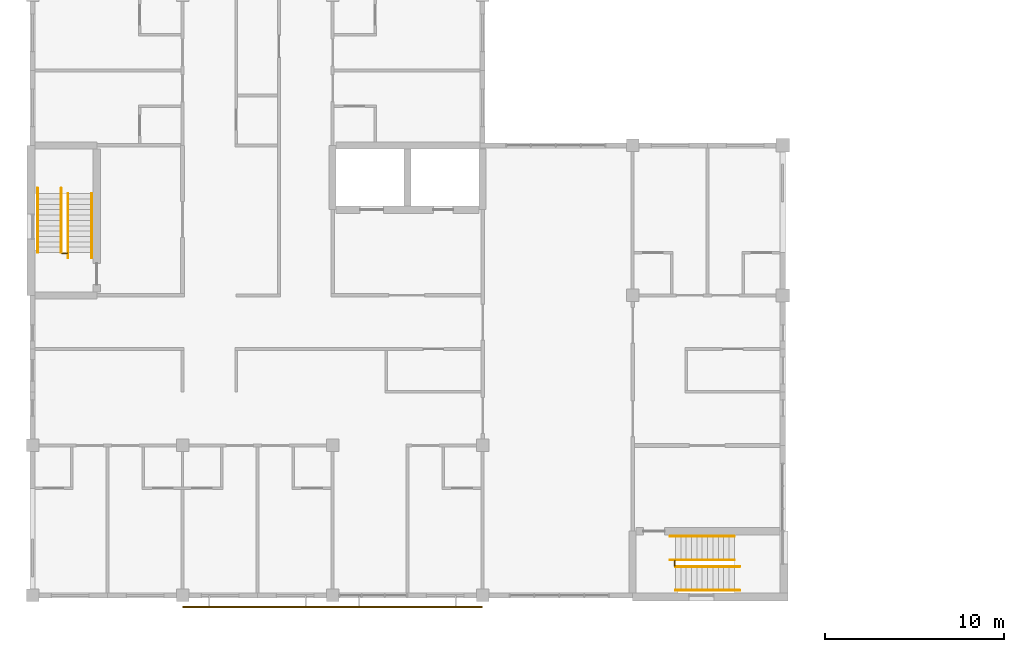
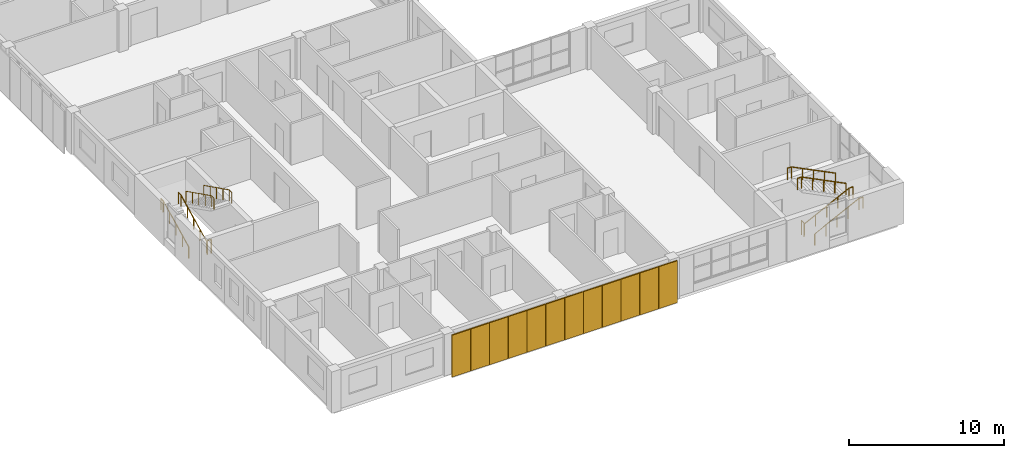
# One storey, part 41 of 45: 12 shading devices, 10 railings.
"""IFC4 building model written with IfcOpenShell, lengths in metres."""

from ifc_helpers import new_model, si_unit, direction, frame, origin, origin_2d, place, context, subcontext, project, spatial, rectangle, circle, extrude, material, layer, layer_set, type_object, element, save


model = new_model("IFC4")

# Units and contexts
model_context = context("Model", 3, precision=1e-05, world=origin(), true_north=direction((0.0, 1.0)))
body_context = subcontext(model_context, "Body", "Model", "MODEL_VIEW")
ifc_project = project(units=[si_unit("LENGTHUNIT", "METRE"), si_unit("AREAUNIT", "SQUARE_METRE"), si_unit("VOLUMEUNIT", "CUBIC_METRE"), si_unit("PLANEANGLEUNIT", "RADIAN"), si_unit("MASSUNIT", "GRAM", prefix="KILO")], contexts=[model_context])

# Site, building, storey
site_placement = place(None, origin())
site = spatial("IfcSite", under=ifc_project, at=site_placement, CompositionType="ELEMENT")
building_placement = place(site_placement, origin())
building = spatial("IfcBuilding", under=site, at=building_placement, Name="Yavir Park General Hospital", CompositionType="ELEMENT")
storey_placement = place(building_placement, frame((0.0, 0.0, 22.5)))
storey = spatial("IfcBuildingStorey", under=building, at=storey_placement, Name="L05", CompositionType="ELEMENT", Elevation=22.5)

# Shading devices
ifc_material_1 = material(Name="Precast concrete perforated block panel", Category="concrete")
ifc_layer = layer(ifc_material_1, 0.092041015625)
ifc_layer_set = layer_set([ifc_layer], Name="Precast concrete perforated block panel")
shading_device_type = type_object("IfcShadingDeviceType", Name="Precast breeze-block screen panel 1380 x 3300 x 92", PredefinedType="JALOUSIE", material=ifc_layer_set)
for number, where, z_axis, x_axis, name in (
    (1, (9.10009765625, -0.64990234375, 0.0), (0.0, 0.0, 1.0), (1.0, 0.0, 0.0), "Screen panel S2.3.1"),
    (2, (10.5, -0.64990234375, 0.0), (0.0, 0.0, 1.0), (1.0, 0.0, 0.0), "Screen panel S2.3.2"),
    (3, (11.89990234375, -0.64990234375, 0.0), (0.0, 0.0, 1.0), (1.0, 0.0, 0.0), "Screen panel S2.3.3"),
    (4, (13.300048828125, -0.64990234375, 0.0), (0.0, 0.0, 1.0), (1.0, 0.0, 0.0), "Screen panel S2.3.4"),
    (5, (14.699951171875, -0.64990234375, 0.0), (0.0, 0.0, 1.0), (1.0, 0.0, 0.0), "Screen panel S2.3.5"),
    (6, (16.10009765625, -0.64990234375, 0.0), (0.0, 0.0, 1.0), (1.0, 0.0, 0.0), "Screen panel S2.3.6"),
    (7, (17.5, -0.64990234375, 0.0), (0.0, 0.0, 1.0), (1.0, 0.0, 0.0), "Screen panel S3.3.1"),
    (8, (18.89990234375, -0.64990234375, 0.0), (0.0, 0.0, 1.0), (1.0, 0.0, 0.0), "Screen panel S3.3.2"),
    (9, (20.300048828125, -0.64990234375, 0.0), (0.0, 0.0, 1.0), (1.0, 0.0, 0.0), "Screen panel S3.3.3"),
    (10, (21.699951171875, -0.64990234375, 0.0), (0.0, 0.0, 1.0), (1.0, 0.0, 0.0), "Screen panel S3.3.4"),
    (11, (23.10009765625, -0.64990234375, 0.0), (0.0, 0.0, 1.0), (1.0, 0.0, 0.0), "Screen panel S3.3.5"),
    (12, (24.5, -0.64990234375, 0.0), (0.0, 0.0, 1.0), (1.0, 0.0, 0.0), "Screen panel S3.3.6"),
):
    element("IfcShadingDevice", number, at=place(storey_placement, frame(where, z_axis=z_axis, x_axis=x_axis)), inside=storey, type_object=shading_device_type, Name=name, PredefinedType="JALOUSIE", context=body_context, shape_type="SweptSolid", body=[
        extrude(rectangle(XDim=1.3798828125, YDim=0.092041015625, at=origin_2d()), origin(), (0.0, 0.0, 1.0), 3.300048828125),
    ])

# Railings
ifc_material_2 = material(Name="Steel balustrade with infill rods", Category="steel")
railing_type_1 = type_object("IfcRailingType", Name="Stair guard, steel balustrade 1100 mm", PredefinedType="GUARDRAIL", material=ifc_material_2)
railing_1_placement = place(storey_placement, frame((1.64990234375, 19.169921875, 0.0)))
element("IfcRailing", 13, at=railing_1_placement, inside=storey, type_object=railing_type_1, Name="Stair well guard SU1 L05", PredefinedType="GUARDRAIL", context=body_context, shape_type="SweptSolid", body=[
    extrude(circle(Radius=0.02392578125, at=origin_2d()), frame((0.0, 0.0, 1.076171875), z_axis=(1.0, 0.0, 0.0), x_axis=(0.0, 1.0, 0.0)), (0.0, 0.0, 1.0), 0.300048828125),
    extrude(circle(Radius=0.02099609375, at=origin_2d()), origin(), (0.0, 0.0, 1.0), 1.052001953125),
    extrude(circle(Radius=0.02099609375, at=origin_2d()), frame((0.300048828125, 0.0, 0.0)), (0.0, 0.0, 1.0), 1.052001953125),
])
railing_2_placement = place(storey_placement, frame((35.969970703125, 1.64990234375, 0.0)))
element("IfcRailing", 14, at=railing_2_placement, inside=storey, type_object=railing_type_1, Name="Stair well guard SU2 L05", PredefinedType="GUARDRAIL", context=body_context, shape_type="SweptSolid", body=[
    extrude(circle(Radius=0.02392578125, at=origin_2d()), frame((0.0, 0.0, 1.076171875), z_axis=(0.0, 1.0, 0.0), x_axis=(-1.0, 0.0, 0.0)), (0.0, 0.0, 1.0), 0.300048828125),
    extrude(circle(Radius=0.02099609375, at=origin_2d()), origin(), (0.0, 0.0, 1.0), 1.052001953125),
    extrude(circle(Radius=0.02099609375, at=origin_2d()), frame((0.0, 0.300048828125, 0.0)), (0.0, 0.0, 1.0), 1.052001953125),
])
ifc_material_3 = material(Name="Stainless steel tube 48 mm", Category="steel")
railing_type_2 = type_object("IfcRailingType", Name="Stair handrail, steel tube, 900 mm above the nosings", PredefinedType="HANDRAIL", material=ifc_material_3)
for number, where, name in (
    (15, (0.2900390625, 19.199951171875, 0.14990234375), "Handrail SU1 L05 1"),
    (16, (1.610107421875, 19.199951171875, 0.14990234375), "Handrail SU1 L05 2"),
):
    element("IfcRailing", number, at=place(storey_placement, frame(where)), inside=storey, type_object=railing_type_2, Name=name, PredefinedType="HANDRAIL", context=body_context, shape_type="SweptSolid", body=[
        extrude(circle(Radius=0.02392578125, at=origin_2d()), frame((0.0, 0.0, 0.8759765625), z_axis=(0.0, 0.894413956696, 0.447240063129), x_axis=(-1.0, 0.0, 0.0)), (0.0, 0.0, 1.0), 3.689697265625),
        extrude(circle(Radius=0.02392578125, at=origin_2d()), frame((0.0, 3.300048828125, 2.52587890625), z_axis=(0.0, 1.0, 0.0), x_axis=(-1.0, 0.0, 0.0)), (0.0, 0.0, 1.0), 0.300048828125),
        extrude(circle(Radius=0.02099609375, at=origin_2d()), origin(), (0.0, 0.0, 1.0), 0.851806640625),
        extrude(circle(Radius=0.02099609375, at=origin_2d()), frame((0.0, 0.824951171875, 0.41259765625)), (0.0, 0.0, 1.0), 0.851806640625),
        extrude(circle(Radius=0.02099609375, at=origin_2d()), frame((0.0, 1.64990234375, 0.8251953125)), (0.0, 0.0, 1.0), 0.851806640625),
        extrude(circle(Radius=0.02099609375, at=origin_2d()), frame((0.0, 2.47509765625, 1.237548828125)), (0.0, 0.0, 1.0), 0.851806640625),
        extrude(circle(Radius=0.02099609375, at=origin_2d()), frame((0.0, 3.300048828125, 1.650146484375)), (0.0, 0.0, 1.0), 0.851806640625),
        extrude(circle(Radius=0.02099609375, at=origin_2d()), frame((0.0, 3.60009765625, 1.650146484375)), (0.0, 0.0, 1.0), 0.851806640625),
    ])
for number, where, name in (
    (17, (3.31005859375, 22.5, 1.949951171875), "Handrail SU1 L05 3"),
    (18, (1.989990234375, 22.5, 1.949951171875), "Handrail SU1 L05 4"),
):
    element("IfcRailing", number, at=place(storey_placement, frame(where)), inside=storey, type_object=railing_type_2, Name=name, PredefinedType="HANDRAIL", context=body_context, shape_type="SweptSolid", body=[
        extrude(circle(Radius=0.02392578125, at=origin_2d()), frame((0.0, 0.0, 0.8759765625), z_axis=(0.0, -0.894413956696, 0.447240063129), x_axis=(1.0, 0.0, 0.0)), (0.0, 0.0, 1.0), 3.689697265625),
        extrude(circle(Radius=0.02392578125, at=origin_2d()), frame((0.0, -3.300048828125, 2.52587890625), z_axis=(0.0, -1.0, 0.0), x_axis=(1.0, 0.0, 0.0)), (0.0, 0.0, 1.0), 0.300048828125),
        extrude(circle(Radius=0.02099609375, at=origin_2d()), origin(), (0.0, 0.0, 1.0), 0.851806640625),
        extrude(circle(Radius=0.02099609375, at=origin_2d()), frame((0.0, -0.824951171875, 0.41259765625)), (0.0, 0.0, 1.0), 0.851806640625),
        extrude(circle(Radius=0.02099609375, at=origin_2d()), frame((0.0, -1.64990234375, 0.8251953125)), (0.0, 0.0, 1.0), 0.851806640625),
        extrude(circle(Radius=0.02099609375, at=origin_2d()), frame((0.0, -2.47509765625, 1.237548828125)), (0.0, 0.0, 1.0), 0.851806640625),
        extrude(circle(Radius=0.02099609375, at=origin_2d()), frame((0.0, -3.300048828125, 1.650146484375)), (0.0, 0.0, 1.0), 0.851806640625),
        extrude(circle(Radius=0.02099609375, at=origin_2d()), frame((0.0, -3.60009765625, 1.650146484375)), (0.0, 0.0, 1.0), 0.851806640625),
    ])
for number, where, name in (
    (19, (36.0, 0.2900390625, 0.14990234375), "Handrail SU2 L05 1"),
    (20, (36.0, 1.610107421875, 0.14990234375), "Handrail SU2 L05 2"),
):
    element("IfcRailing", number, at=place(storey_placement, frame(where)), inside=storey, type_object=railing_type_2, Name=name, PredefinedType="HANDRAIL", context=body_context, shape_type="SweptSolid", body=[
        extrude(circle(Radius=0.02392578125, at=origin_2d()), frame((0.0, 0.0, 0.8759765625), z_axis=(0.894413956696, 0.0, 0.447240063129), x_axis=(0.0, 1.0, 0.0)), (0.0, 0.0, 1.0), 3.689697265625),
        extrude(circle(Radius=0.02392578125, at=origin_2d()), frame((3.300048828125, 0.0, 2.52587890625), z_axis=(1.0, 0.0, 0.0), x_axis=(0.0, 1.0, 0.0)), (0.0, 0.0, 1.0), 0.300048828125),
        extrude(circle(Radius=0.02099609375, at=origin_2d()), origin(), (0.0, 0.0, 1.0), 0.851806640625),
        extrude(circle(Radius=0.02099609375, at=origin_2d()), frame((0.824951171875, 0.0, 0.41259765625)), (0.0, 0.0, 1.0), 0.851806640625),
        extrude(circle(Radius=0.02099609375, at=origin_2d()), frame((1.64990234375, 0.0, 0.8251953125)), (0.0, 0.0, 1.0), 0.851806640625),
        extrude(circle(Radius=0.02099609375, at=origin_2d()), frame((2.47509765625, 0.0, 1.237548828125)), (0.0, 0.0, 1.0), 0.851806640625),
        extrude(circle(Radius=0.02099609375, at=origin_2d()), frame((3.300048828125, 0.0, 1.650146484375)), (0.0, 0.0, 1.0), 0.851806640625),
        extrude(circle(Radius=0.02099609375, at=origin_2d()), frame((3.60009765625, 0.0, 1.650146484375)), (0.0, 0.0, 1.0), 0.851806640625),
    ])
for number, where, name in (
    (21, (39.300048828125, 3.31005859375, 1.949951171875), "Handrail SU2 L05 3"),
    (22, (39.300048828125, 1.989990234375, 1.949951171875), "Handrail SU2 L05 4"),
):
    element("IfcRailing", number, at=place(storey_placement, frame(where)), inside=storey, type_object=railing_type_2, Name=name, PredefinedType="HANDRAIL", context=body_context, shape_type="SweptSolid", body=[
        extrude(circle(Radius=0.02392578125, at=origin_2d()), frame((0.0, 0.0, 0.8759765625), z_axis=(-0.894413956696, 0.0, 0.447240063129), x_axis=(0.0, -1.0, 0.0)), (0.0, 0.0, 1.0), 3.689697265625),
        extrude(circle(Radius=0.02392578125, at=origin_2d()), frame((-3.300048828125, 0.0, 2.52587890625), z_axis=(-1.0, 0.0, 0.0), x_axis=(0.0, -1.0, 0.0)), (0.0, 0.0, 1.0), 0.300048828125),
        extrude(circle(Radius=0.02099609375, at=origin_2d()), origin(), (0.0, 0.0, 1.0), 0.851806640625),
        extrude(circle(Radius=0.02099609375, at=origin_2d()), frame((-0.824951171875, 0.0, 0.41259765625)), (0.0, 0.0, 1.0), 0.851806640625),
        extrude(circle(Radius=0.02099609375, at=origin_2d()), frame((-1.64990234375, 0.0, 0.8251953125)), (0.0, 0.0, 1.0), 0.851806640625),
        extrude(circle(Radius=0.02099609375, at=origin_2d()), frame((-2.47509765625, 0.0, 1.237548828125)), (0.0, 0.0, 1.0), 0.851806640625),
        extrude(circle(Radius=0.02099609375, at=origin_2d()), frame((-3.300048828125, 0.0, 1.650146484375)), (0.0, 0.0, 1.0), 0.851806640625),
        extrude(circle(Radius=0.02099609375, at=origin_2d()), frame((-3.60009765625, 0.0, 1.650146484375)), (0.0, 0.0, 1.0), 0.851806640625),
    ])

save(model, "model.ifc")
